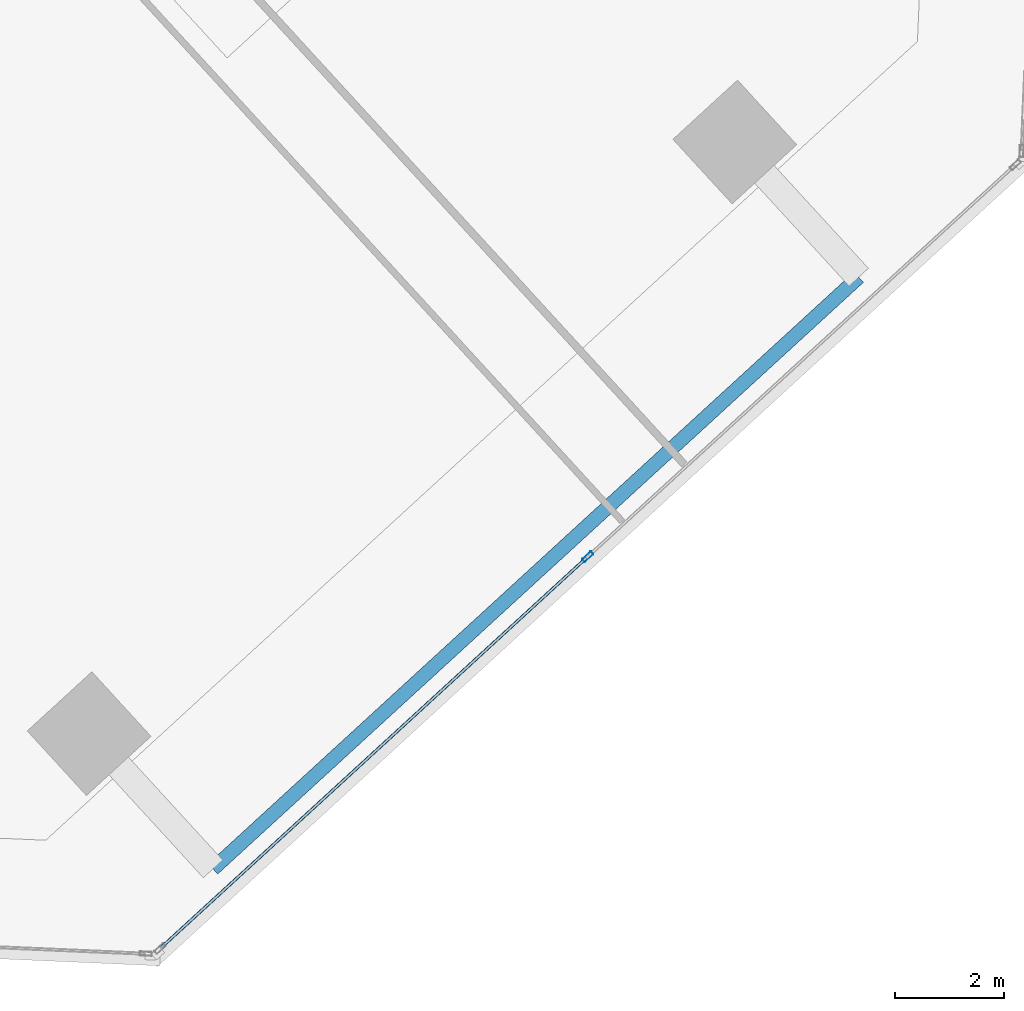
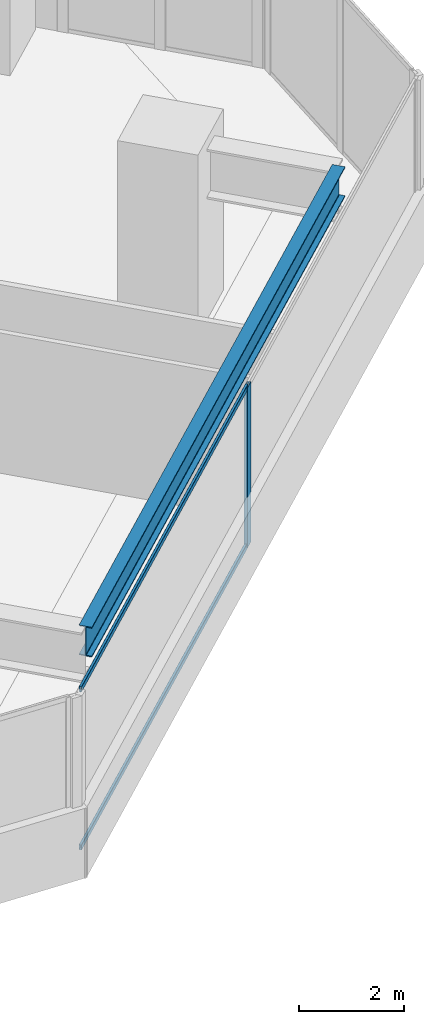
# One storey, part 5 of 17: 3 members, 1 beam, 1 element without a shape of its own.
"""IFC4 building model written with IfcOpenShell, lengths in metres."""

from ifc_helpers import new_model, si_unit, direction, frame, origin, origin_2d, place, context, subcontext, project, spatial, hollow_rectangle, i_section, extrude, source, transform, mapped, material, material_profile, profile_set, type_object, element, aggregate, save


model = new_model("IFC4")

# Units and contexts
model_context = context("Model", 3, precision=1e-05, world=origin(), true_north=direction((0.0, 1.0)))
body_context = subcontext(model_context, "Body", "Model", "MODEL_VIEW")
ifc_project = project(units=[si_unit("LENGTHUNIT", "METRE"), si_unit("AREAUNIT", "SQUARE_METRE"), si_unit("VOLUMEUNIT", "CUBIC_METRE"), si_unit("PLANEANGLEUNIT", "RADIAN"), si_unit("MASSUNIT", "GRAM", prefix="KILO")], contexts=[model_context])

# Site, building, storey
site_placement = place(None, origin())
site = spatial("IfcSite", under=ifc_project, at=site_placement, CompositionType="ELEMENT")
building_placement = place(site_placement, origin())
building = spatial("IfcBuilding", under=site, at=building_placement, Name="Torre Montelarca", CompositionType="ELEMENT")
storey_placement = place(building_placement, frame((0.0, 0.0, 254.199951171875)))
storey = spatial("IfcBuildingStorey", under=building, at=storey_placement, Name="L57", CompositionType="ELEMENT", Elevation=254.199951171875)

# Beam
ifc_material_1 = material(Name="Steel ASTM A992 Grade 50", Category="steel")
ifc_material_profile_1 = material_profile(ifc_material_1, i_section(OverallWidth=0.256103515625, OverallDepth=0.693115234375, WebThickness=0.014404296875, FlangeThickness=0.023681640625, FilletRadius=0.01806640625, at=origin_2d()), Name="W690X170", Category="steel")
ifc_profile_set_1 = profile_set([ifc_material_profile_1], Name="Steel ASTM A992 Grade 50")
beam_type = type_object("IfcBeamType", Name="BM-G-W690-EXT", PredefinedType="BEAM", material=ifc_profile_set_1)
shared_shape_1 = source(origin(), body_context, "Body", "SweptSolid", [
    extrude(i_section(OverallWidth=0.256103515625, OverallDepth=0.693115234375, WebThickness=0.014404296875, FlangeThickness=0.023681640625, FilletRadius=0.01806640625, at=origin_2d()), origin(), (0.0, 0.0, 1.0), 16.0),
])
beam_placement = place(storey_placement, frame((31.714599609375, 9.01123046875, 3.614013671875), z_axis=(0.737271938008, 0.675596099327, 0.0), x_axis=(-0.675596099327, 0.737271938008, 0.0)))
element("IfcBeam", 1, at=beam_placement, inside=storey, type_object=beam_type, Name="L57 Sliding Tray Edge Girder East 24-40m (FLR)", PredefinedType="BEAM", context=body_context, shape_type="MappedRepresentation", body=[
    mapped(shared_shape_1, transform((0.0, 0.0, 0.0), scale=1.0)),
])

# Curtain wall, members
ifc_material_2 = material(Name="Insulated low-E laminated glass", Category="glass")
curtain_wall_type = type_object("IfcCurtainWallType", Name="CW-SYS-Z3", PredefinedType="USERDEFINED", material=ifc_material_2)
curtain_wall_placement = place(storey_placement, origin())
curtain_wall = element("IfcCurtainWall", 2, at=curtain_wall_placement, inside=storey, type_object=curtain_wall_type, Name="L57 Curtain Wall Run CW-T3-L57-E06-B1", ObjectType="UNITISED GLAZING", PredefinedType="USERDEFINED")
ifc_material_3 = material(Name="Anodised aluminium AA 6063-T6", Category="aluminium")
ifc_material_profile_2 = material_profile(ifc_material_3, hollow_rectangle(XDim=0.074951171875, YDim=0.219970703125, WallThickness=0.0048828125, InnerFilletRadius=0.0048828125, OuterFilletRadius=0.010009765625, at=origin_2d()), Name="ALU75X220X5", Category="aluminium")
ifc_profile_set_2 = profile_set([ifc_material_profile_2], Name="Anodised aluminium AA 6063-T6")
member_type_1 = type_object("IfcMemberType", Name="CWM-ALU220", PredefinedType="MULLION", material=ifc_profile_set_2)
shared_shape_2 = source(origin(), body_context, "Body", "SweptSolid", [
    extrude(hollow_rectangle(XDim=0.074951171875, YDim=0.219970703125, WallThickness=0.0048828125, InnerFilletRadius=0.0048828125, OuterFilletRadius=0.010009765625, at=origin_2d()), origin(), (0.0, 0.0, 1.0), 3.719970703125),
])
member_1_placement = place(storey_placement, frame((38.56005859375, 14.71435546875, 0.0), z_axis=(0.0, 0.0, 1.0), x_axis=(-0.675587287841, 0.73728001228, 0.0)))
member_1 = element("IfcMember", 3, at=member_1_placement, type_object=member_type_1, Name="CW mullion 2", PredefinedType="MULLION", context=body_context, shape_type="MappedRepresentation", body=[
    mapped(shared_shape_2, transform((0.0, 0.0, 0.0), scale=1.0)),
])
ifc_material_profile_3 = material_profile(ifc_material_3, hollow_rectangle(XDim=0.054931640625, YDim=0.1201171875, WallThickness=0.00341796875, InnerFilletRadius=0.00341796875, OuterFilletRadius=0.007080078125, at=origin_2d()), Name="ALU55X120X3.5", Category="aluminium")
ifc_profile_set_3 = profile_set([ifc_material_profile_3], Name="Anodised aluminium AA 6063-T6")
member_type_2 = type_object("IfcMemberType", Name="CWT-ALU120", PredefinedType="USERDEFINED", material=ifc_profile_set_3)
shared_shape_3 = source(origin(), body_context, "Body", "SweptSolid", [
    extrude(hollow_rectangle(XDim=0.054931640625, YDim=0.1201171875, WallThickness=0.00341796875, InnerFilletRadius=0.00341796875, OuterFilletRadius=0.007080078125, at=origin_2d()), origin(), (0.0, 0.0, 1.0), 10.521728515625),
])
member_2_placement = place(storey_placement, frame((30.775146484375, 7.58056640625, 0.027587890625), z_axis=(0.737271635659, 0.675596429277, 0.0), x_axis=(-0.675596429277, 0.737271635659, 0.0)))
member_2 = element("IfcMember", 4, at=member_2_placement, type_object=member_type_2, Name="CW transom 1.1", ObjectType="TRANSOM", PredefinedType="USERDEFINED", context=body_context, shape_type="MappedRepresentation", body=[
    mapped(shared_shape_3, transform((0.0, 0.0, 0.0), scale=1.0)),
])
member_3_placement = place(storey_placement, frame((30.775146484375, 7.58056640625, 3.692626953125), z_axis=(0.737271635659, 0.675596429277, 0.0), x_axis=(-0.675596429277, 0.737271635659, 0.0)))
member_3 = element("IfcMember", 5, at=member_3_placement, type_object=member_type_2, Name="CW transom 1.2", ObjectType="TRANSOM", PredefinedType="USERDEFINED", context=body_context, shape_type="MappedRepresentation", body=[
    mapped(shared_shape_3, transform((0.0, 0.0, 0.0), scale=1.0)),
])
aggregate(curtain_wall, [member_1, member_2, member_3])

save(model, "model.ifc")
